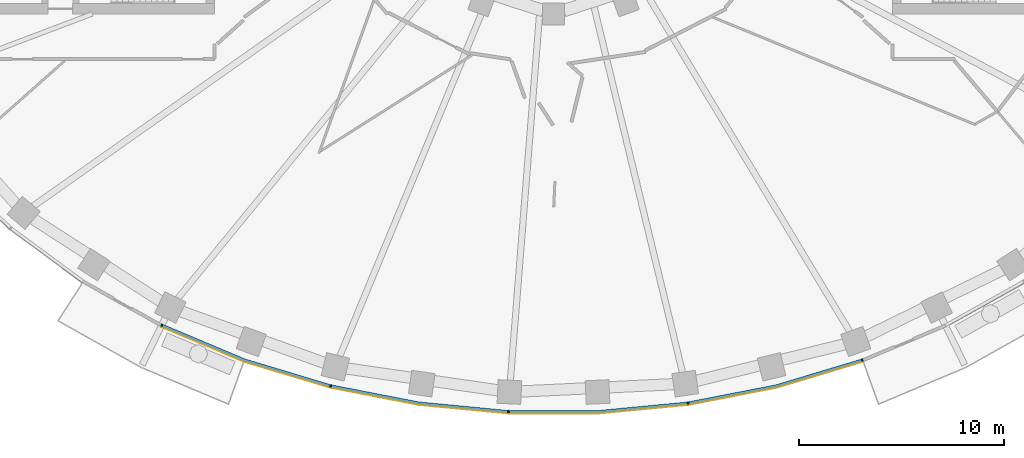
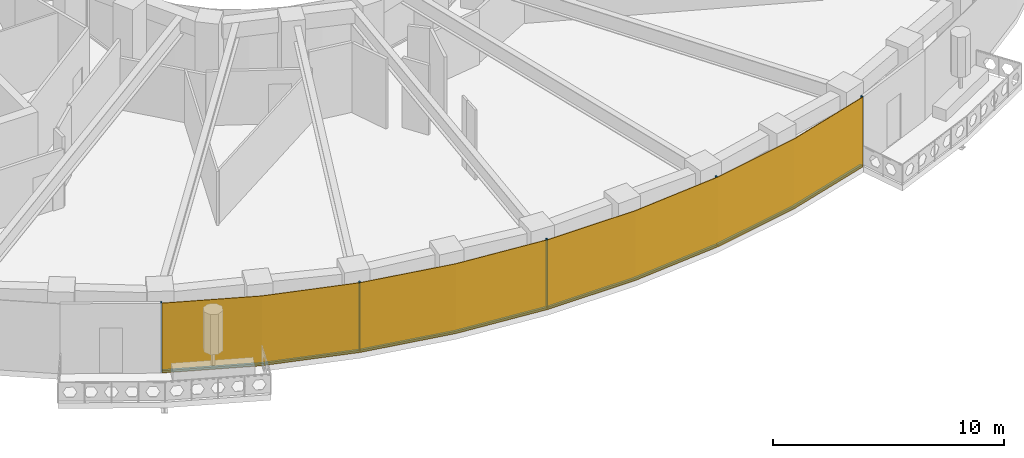
# One storey, part 9 of 15: 9 members, 1 curtain wall.
"""IFC4 building model written with IfcOpenShell, lengths in metres."""

from ifc_helpers import new_model, si_unit, direction, frame, origin, origin_2d, place, context, subcontext, project, spatial, polyline, rectangle, outline, extrude, material, layer, layer_set, material_profile, profile_set, type_object, element, aggregate, save


model = new_model("IFC4")

# Units and contexts
model_context = context("Model", 3, precision=1e-05, world=origin(), true_north=direction((0.0, 1.0)))
body_context = subcontext(model_context, "Body", "Model", "MODEL_VIEW")
ifc_project = project(units=[si_unit("LENGTHUNIT", "METRE"), si_unit("AREAUNIT", "SQUARE_METRE"), si_unit("VOLUMEUNIT", "CUBIC_METRE"), si_unit("PLANEANGLEUNIT", "RADIAN"), si_unit("MASSUNIT", "GRAM", prefix="KILO")], contexts=[model_context])

# Member
ifc_material_1 = material(Name="Aluminium 6063-T6 black anodised", Category="aluminium")
ifc_material_profile = material_profile(ifc_material_1, rectangle(XDim=0.1201171875, YDim=0.06005859375, at=origin_2d()), Name="120x60")
ifc_profile_set = profile_set([ifc_material_profile], Name="Aluminium 6063-T6 black anodised")
member_type_1 = type_object("IfcMemberType", Name="ENV-MULLION-A-120", PredefinedType="MULLION", material=ifc_profile_set)
site_placement = place(None, origin())
building_placement = place(site_placement, origin())
storey_placement = place(building_placement, frame((0.0, 0.0, 194.0)))
member_1_placement = place(storey_placement, frame((-19.06787109375, -23.6474609375, 0.0), z_axis=(0.0, 0.0, 1.0), x_axis=(0.439237769837, 0.898370848563, 0.0)))
member_1 = element("IfcMember", 1, at=member_1_placement, type_object=member_type_1, Name="Mullion A radial 31", PredefinedType="MULLION", context=body_context, shape_type="SweptSolid", body=[
    extrude(rectangle(XDim=0.1201171875, YDim=0.06005859375, at=origin_2d()), origin(), (0.0, 0.0, 1.0), 3.699951171875),
])

member_2_placement = place(storey_placement, frame((-10.84326171875, -26.60498046875, 0.0), z_axis=(0.0, 0.0, 1.0), x_axis=(0.239799081534, 0.970822538106, 0.0)))
member_2 = element("IfcMember", 2, at=member_2_placement, type_object=member_type_1, Name="Mullion A radial 33", PredefinedType="MULLION", context=body_context, shape_type="SweptSolid", body=[
    extrude(rectangle(XDim=0.1201171875, YDim=0.06005859375, at=origin_2d()), origin(), (0.0, 0.0, 1.0), 3.699951171875),
])

member_3_placement = place(storey_placement, frame((-2.188720703125, -27.856201171875, 0.0), z_axis=(0.0, 0.0, 1.0), x_axis=(0.047557873581, 0.998868484166, 0.0)))
member_3 = element("IfcMember", 3, at=member_3_placement, type_object=member_type_1, Name="Mullion A radial 35", PredefinedType="MULLION", context=body_context, shape_type="SweptSolid", body=[
    extrude(rectangle(XDim=0.1201171875, YDim=0.06005859375, at=origin_2d()), origin(), (0.0, 0.0, 1.0), 3.699951171875),
])

member_4_placement = place(storey_placement, frame((6.54638671875, -27.440185546875, 0.0), z_axis=(0.0, 0.0, 1.0), x_axis=(-0.143082012705, 0.989710835366, 0.0)))
member_4 = element("IfcMember", 4, at=member_4_placement, type_object=member_type_1, Name="Mullion A radial 37", PredefinedType="MULLION", context=body_context, shape_type="SweptSolid", body=[
    extrude(rectangle(XDim=0.1201171875, YDim=0.06005859375, at=origin_2d()), origin(), (0.0, 0.0, 1.0), 3.699951171875),
])

member_5_placement = place(storey_placement, frame((15.0341796875, -25.34375, 0.0), z_axis=(0.0, 0.0, 1.0), x_axis=(-0.338379256581, 0.941009818608, 0.0)))
member_5 = element("IfcMember", 5, at=member_5_placement, type_object=member_type_1, Name="Mullion A radial 39", PredefinedType="MULLION", context=body_context, shape_type="SweptSolid", body=[
    extrude(rectangle(XDim=0.1201171875, YDim=0.06005859375, at=origin_2d()), origin(), (0.0, 0.0, 1.0), 3.699951171875),
])

ifc_material_2 = material(Name="Aluminium 6063-T6 black anodised", Category="aluminium")
member_type_2 = type_object("IfcMemberType", Name="ENV-TRANSOM-A", PredefinedType="USERDEFINED", material=ifc_material_2)
member_6_placement = place(storey_placement, origin())
member_6 = element("IfcMember", 6, at=member_6_placement, type_object=member_type_2, Name="Transom A radial 31-33", ObjectType="TRANSOM", PredefinedType="USERDEFINED", context=body_context, shape_type="SweptSolid", body=[
    extrude(outline(polyline([(-19.068359375, -23.71240234375), (-15.054443359375, -25.400146484375), (-10.884521484375, -26.655029296875), (-10.855712890625, -26.53857421875), (-15.013916015625, -25.287109375), (-19.015380859375, -23.604248046875), (-19.068359375, -23.71240234375)])), origin(), (0.0, 0.0, 1.0), 0.10009765625),
])

member_7_placement = place(storey_placement, origin())
member_7 = element("IfcMember", 7, at=member_7_placement, type_object=member_type_2, Name="Transom A radial 33-35", ObjectType="TRANSOM", PredefinedType="USERDEFINED", context=body_context, shape_type="SweptSolid", body=[
    extrude(outline(polyline([(-10.830078125, -26.66845703125), (-6.55517578125, -27.49951171875), (-2.219482421875, -27.913330078125), (-2.2138671875, -27.793212890625), (-6.537841796875, -27.380615234375), (-10.80126953125, -26.552001953125), (-10.830078125, -26.66845703125)])), origin(), (0.0, 0.0, 1.0), 0.10009765625),
])

member_8_placement = place(storey_placement, origin())
member_8 = element("IfcMember", 8, at=member_8_placement, type_object=member_type_2, Name="Transom A radial 35-37", ObjectType="TRANSOM", PredefinedType="USERDEFINED", context=body_context, shape_type="SweptSolid", body=[
    extrude(outline(polyline([(-2.163818359375, -27.916015625), (2.191650390625, -27.916015625), (6.527099609375, -27.502197265625), (6.510009765625, -27.38330078125), (2.185791015625, -27.7958984375), (-2.157958984375, -27.7958984375), (-2.163818359375, -27.916015625)])), origin(), (0.0, 0.0, 1.0), 0.10009765625),
])

member_9_placement = place(storey_placement, origin())
member_9 = element("IfcMember", 9, at=member_9_placement, type_object=member_type_2, Name="Transom A radial 37-39", ObjectType="TRANSOM", PredefinedType="USERDEFINED", context=body_context, shape_type="SweptSolid", body=[
    extrude(outline(polyline([(6.58251953125, -27.494140625), (10.857666015625, -26.6630859375), (15.027587890625, -25.408203125), (14.987060546875, -25.295166015625), (10.828857421875, -26.54638671875), (6.5654296875, -27.375244140625), (6.58251953125, -27.494140625)])), origin(), (0.0, 0.0, 1.0), 0.10009765625),
])

# Site, building, storey
site = spatial("IfcSite", under=ifc_project, at=site_placement, CompositionType="ELEMENT")
building = spatial("IfcBuilding", under=site, at=building_placement, Name="Noorbagh Ring Tower", CompositionType="ELEMENT")
storey = spatial("IfcBuildingStorey", under=building, at=storey_placement, Name="L45", CompositionType="ELEMENT", Elevation=194.0)

# Curtain wall
ifc_material_3 = material(Name="Glass dark tinted laminated", Category="glass")
ifc_layer = layer(ifc_material_3, 0.031982421875)
ifc_layer_set = layer_set([ifc_layer], Name="Glass dark tinted laminated")
curtain_wall_type = type_object("IfcCurtainWallType", Name="ENV-CW-A", PredefinedType="NOTDEFINED", material=ifc_layer_set)
curtain_wall_placement = place(storey_placement, origin())
curtain_wall = element("IfcCurtainWall", 10, at=curtain_wall_placement, inside=storey, type_object=curtain_wall_type, Name="Curtain wall A R31", PredefinedType="NOTDEFINED", context=body_context, shape_type="SweptSolid", body=[
    extrude(outline(polyline([(-19.08984375, -23.738037109375), (-15.065185546875, -25.430419921875), (-10.865234375, -26.6943359375), (-6.559814453125, -27.53125), (-2.193115234375, -27.947998046875), (2.193115234375, -27.947998046875), (6.559814453125, -27.53125), (10.865234375, -26.6943359375), (15.046142578125, -25.43603515625), (15.035400390625, -25.406005859375), (10.857666015625, -26.6630859375), (6.55517578125, -27.49951171875), (2.191650390625, -27.916015625), (-2.191650390625, -27.916015625), (-6.55517578125, -27.49951171875), (-10.857666015625, -26.6630859375), (-15.054443359375, -25.400146484375), (-19.07568359375, -23.709228515625), (-19.08984375, -23.738037109375)])), origin(), (0.0, 0.0, 1.0), 3.699951171875),
])

aggregate(curtain_wall, [member_1, member_2, member_3, member_4, member_5, member_6, member_7, member_8, member_9])

save(model, "model.ifc")
